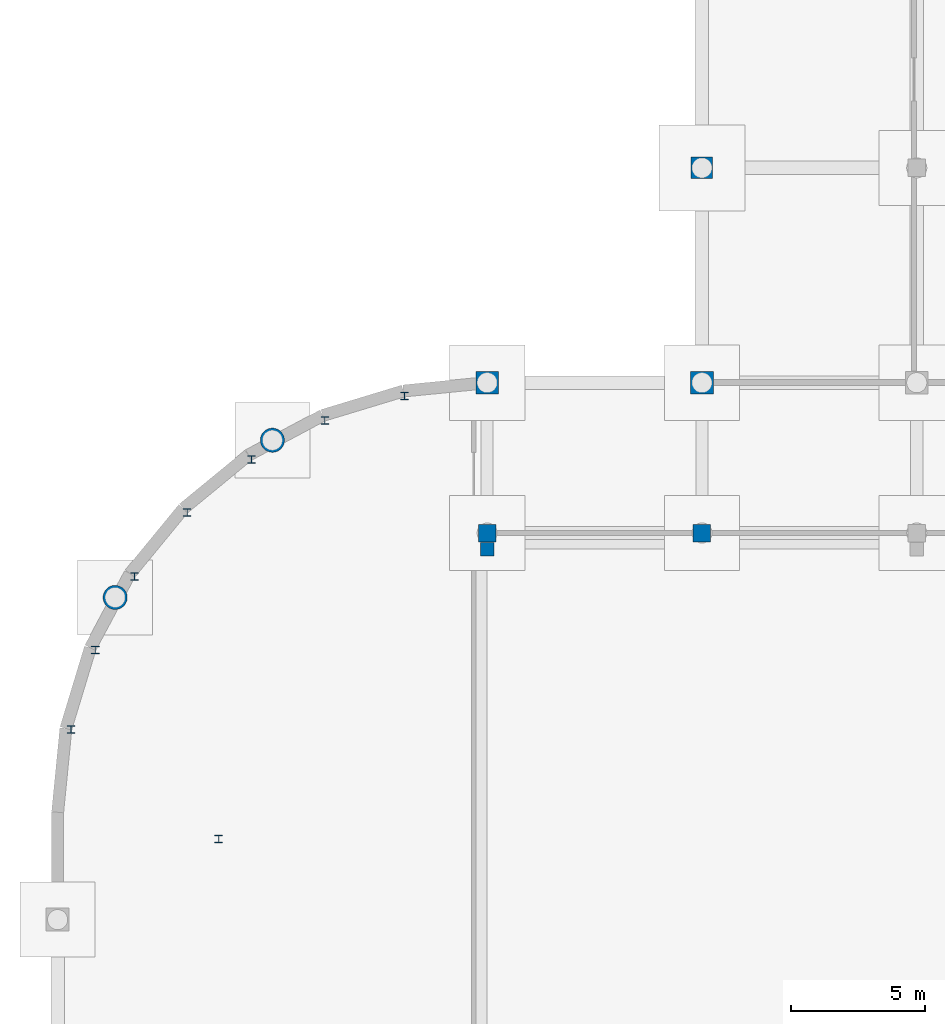
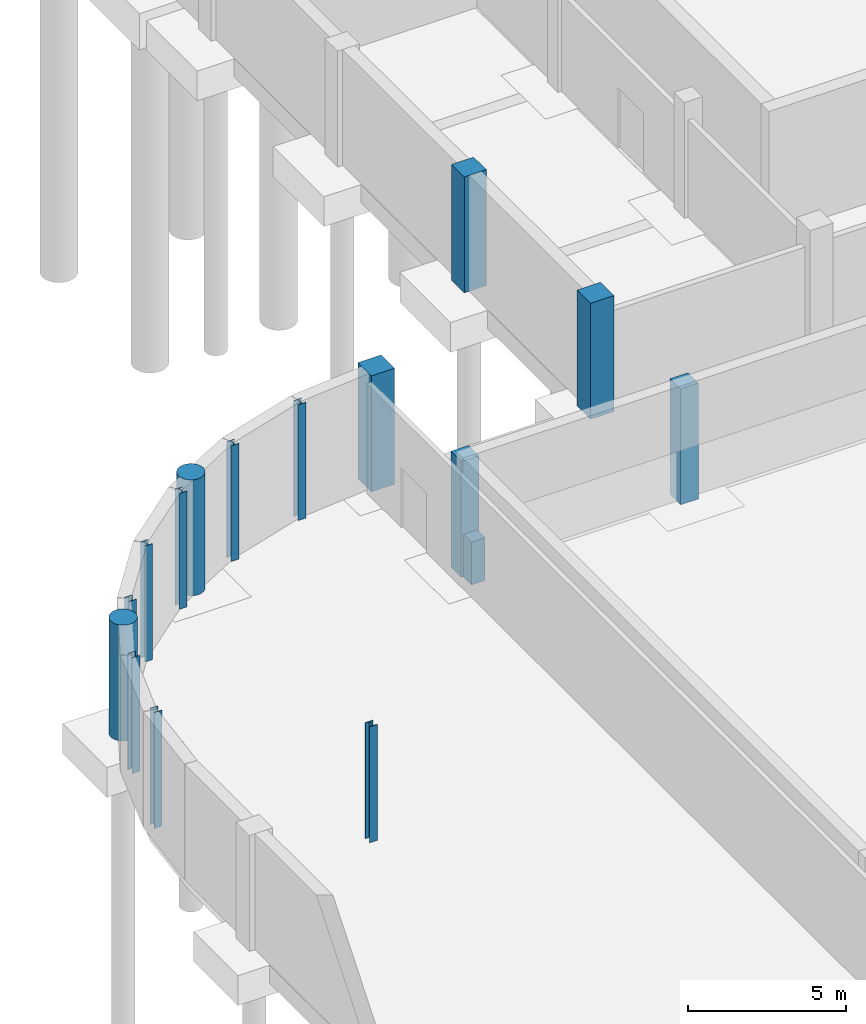
# One storey, part 11 of 29: 16 columns.
"""IFC4 building model written with IfcOpenShell, lengths in metres."""

from ifc_helpers import new_model, si_unit, direction, frame, origin, origin_2d, place, context, subcontext, project, spatial, rectangle, circle, i_section, extrude, material, material_profile, profile_set, type_object, element, save


model = new_model("IFC4")

# Units and contexts
model_context = context("Model", 3, precision=1e-05, world=origin(), true_north=direction((0.0, 1.0)))
body_context = subcontext(model_context, "Body", "Model", "MODEL_VIEW")
ifc_project = project(units=[si_unit("LENGTHUNIT", "METRE"), si_unit("AREAUNIT", "SQUARE_METRE"), si_unit("VOLUMEUNIT", "CUBIC_METRE"), si_unit("PLANEANGLEUNIT", "RADIAN"), si_unit("MASSUNIT", "GRAM", prefix="KILO")], contexts=[model_context])

# Site, building, storey
site_placement = place(None, origin())
site = spatial("IfcSite", under=ifc_project, at=site_placement, CompositionType="ELEMENT")
building_placement = place(site_placement, origin())
building = spatial("IfcBuilding", under=site, at=building_placement, Name="Drelvana Railside Aquatics Centre", CompositionType="ELEMENT")
storey_placement = place(building_placement, frame((0.0, 0.0, -4.800048828125)))
storey = spatial("IfcBuildingStorey", under=building, at=storey_placement, Name="B1", CompositionType="ELEMENT", Elevation=-4.800048828125)

# Columns
ifc_material_1 = material(Name="Concrete C40/50", Category="concrete")
ifc_material_profile_1 = material_profile(ifc_material_1, rectangle(XDim=0.5, YDim=0.5, at=origin_2d()), Name="RC 500x500")
ifc_profile_set_1 = profile_set([ifc_material_profile_1], Name="Concrete C40/50")
column_type_1 = type_object("IfcColumnType", Name="STR-COL-RC-500x500", PredefinedType="COLUMN", material=ifc_profile_set_1)
column_1_placement = place(storey_placement, frame((16.0, 77.800048828125, 0.0), z_axis=(0.0, 0.0, 1.0), x_axis=(1.0, 0.0, 0.0)))
element("IfcColumn", 1, at=column_1_placement, inside=storey, type_object=column_type_1, Name="Competition Pool support pier 2", PredefinedType="COLUMN", context=body_context, shape_type="SweptSolid", body=[
    extrude(rectangle(XDim=0.5, YDim=0.5, at=origin_2d()), origin(), (0.0, 0.0, 1.0), 1.650146484375),
])
ifc_material_profile_2 = material_profile(ifc_material_1, rectangle(XDim=0.64990234375, YDim=0.64990234375, at=origin_2d()), Name="RC 650x650")
ifc_profile_set_2 = profile_set([ifc_material_profile_2], Name="Concrete C40/50")
column_type_2 = type_object("IfcColumnType", Name="STR-COL-RC-650x650", PredefinedType="COLUMN", material=ifc_profile_set_2)
for number, where, z_axis, x_axis, name in (
    (2, (16.0, 78.39990234375, 0.0), (0.0, 0.0, 1.0), (1.0, 0.0, 0.0), "Column C-05 (B1)"),
    (3, (24.0, 78.39990234375, 0.0), (0.0, 0.0, 1.0), (1.0, 0.0, 0.0), "Column C-05 (B1)"),
):
    element("IfcColumn", number, at=place(storey_placement, frame(where, z_axis=z_axis, x_axis=x_axis)), inside=storey, type_object=column_type_2, Name=name, PredefinedType="COLUMN", context=body_context, shape_type="SweptSolid", body=[
        extrude(rectangle(XDim=0.64990234375, YDim=0.64990234375, at=origin_2d()), origin(), (0.0, 0.0, 1.0), 4.469970703125),
    ])
ifc_material_profile_3 = material_profile(ifc_material_1, rectangle(XDim=0.800048828125, YDim=0.800048828125, at=origin_2d()), Name="RC 800x800")
ifc_profile_set_3 = profile_set([ifc_material_profile_3], Name="Concrete C40/50")
column_type_3 = type_object("IfcColumnType", Name="STR-COL-RC-800x800", PredefinedType="COLUMN", material=ifc_profile_set_3)
column_2_placement = place(storey_placement, frame((24.0, 92.0, 0.0), z_axis=(0.0, 0.0, 1.0), x_axis=(1.0, 0.0, 0.0)))
element("IfcColumn", 4, at=column_2_placement, inside=storey, type_object=column_type_3, Name="Column C-08 (B1)", PredefinedType="COLUMN", context=body_context, shape_type="SweptSolid", body=[
    extrude(rectangle(XDim=0.800048828125, YDim=0.800048828125, at=origin_2d()), origin(), (0.0, 0.0, 1.0), 4.469970703125),
])
ifc_material_profile_4 = material_profile(ifc_material_1, rectangle(XDim=0.85009765625, YDim=0.85009765625, at=origin_2d()), Name="RC 850x850")
ifc_profile_set_4 = profile_set([ifc_material_profile_4], Name="Concrete C40/50")
column_type_4 = type_object("IfcColumnType", Name="STR-COL-RC-850x850", PredefinedType="COLUMN", material=ifc_profile_set_4)
for number, where, z_axis, x_axis, name in (
    (5, (16.0, 84.0, 0.0), (0.0, 0.0, 1.0), (1.0, 0.0, 0.0), "Column C-09 (B1)"),
    (6, (24.0, 84.0, 0.0), (0.0, 0.0, 1.0), (1.0, 0.0, 0.0), "Column C-09 (B1)"),
):
    element("IfcColumn", number, at=place(storey_placement, frame(where, z_axis=z_axis, x_axis=x_axis)), inside=storey, type_object=column_type_4, Name=name, PredefinedType="COLUMN", context=body_context, shape_type="SweptSolid", body=[
        extrude(rectangle(XDim=0.85009765625, YDim=0.85009765625, at=origin_2d()), origin(), (0.0, 0.0, 1.0), 4.469970703125),
    ])
ifc_material_profile_5 = material_profile(ifc_material_1, circle(Radius=0.449951171875, at=origin_2d()), Name="RC D900")
ifc_profile_set_5 = profile_set([ifc_material_profile_5], Name="Concrete C40/50")
column_type_5 = type_object("IfcColumnType", Name="STR-COL-RC-D900", PredefinedType="PILASTER", material=ifc_profile_set_5)
for number, where, z_axis, x_axis, name in (
    (7, (8.0, 81.8564453125, 0.0), (0.0, 0.0, 1.0), (1.0, 0.0, 0.0), "Column CP-03 (B1)"),
    (8, (2.1435546875, 76.0, 0.0), (0.0, 0.0, 1.0), (1.0, 0.0, 0.0), "Column CP-03 (B1)"),
):
    element("IfcColumn", number, at=place(storey_placement, frame(where, z_axis=z_axis, x_axis=x_axis)), inside=storey, type_object=column_type_5, Name=name, PredefinedType="PILASTER", context=body_context, shape_type="SweptSolid", body=[
        extrude(circle(Radius=0.449951171875, at=origin_2d()), origin(), (0.0, 0.0, 1.0), 4.469970703125),
    ])
ifc_material_2 = material(Name="Structural steel S355", Category="steel")
ifc_material_profile_6 = material_profile(ifc_material_2, i_section(OverallWidth=0.280029296875, OverallDepth=0.280029296875, WebThickness=0.010498046875, FlangeThickness=0.01806640625, at=origin_2d()), Name="HEB 280")
ifc_profile_set_6 = profile_set([ifc_material_profile_6], Name="Structural steel S355")
column_type_6 = type_object("IfcColumnType", Name="STR-SCOL-HEB-280", PredefinedType="COLUMN", material=ifc_profile_set_6)
for number, where, z_axis, x_axis, name in (
    (9, (12.91748046875, 83.496337890625, 0.0), (0.0, 0.0, 1.0), (1.0, 0.0, 0.0), "V1NW curved chord column 1 (B1)"),
    (10, (9.95361328125, 82.597412109375, 0.0), (0.0, 0.0, 1.0), (1.0, 0.0, 0.0), "V1NW curved chord column 2 (B1)"),
    (11, (7.221923828125, 81.13720703125, 0.0), (0.0, 0.0, 1.0), (1.0, 0.0, 0.0), "V1NW curved chord column 3 (B1)"),
    (12, (4.82763671875, 79.17236328125, 0.0), (0.0, 0.0, 1.0), (1.0, 0.0, 0.0), "V1NW curved chord column 4 (B1)"),
    (13, (2.86279296875, 76.778076171875, 0.0), (0.0, 0.0, 1.0), (1.0, 0.0, 0.0), "V1NW curved chord column 5 (B1)"),
    (14, (1.402587890625, 74.04638671875, 0.0), (0.0, 0.0, 1.0), (1.0, 0.0, 0.0), "V1NW curved chord column 6 (B1)"),
    (15, (0.503662109375, 71.08251953125, 0.0), (0.0, 0.0, 1.0), (1.0, 0.0, 0.0), "V1NW curved chord column 7 (B1)"),
    (16, (6.0, 67.0, 0.0), (0.0, 0.0, 1.0), (1.0, 0.0, 0.0), "Gridshell west end rafter column Y67 (B1)"),
):
    element("IfcColumn", number, at=place(storey_placement, frame(where, z_axis=z_axis, x_axis=x_axis)), inside=storey, type_object=column_type_6, Name=name, PredefinedType="COLUMN", context=body_context, shape_type="SweptSolid", body=[
        extrude(i_section(OverallWidth=0.280029296875, OverallDepth=0.280029296875, WebThickness=0.010498046875, FlangeThickness=0.01806640625, at=origin_2d()), origin(), (0.0, 0.0, 1.0), 4.469970703125),
    ])

save(model, "model.ifc")
